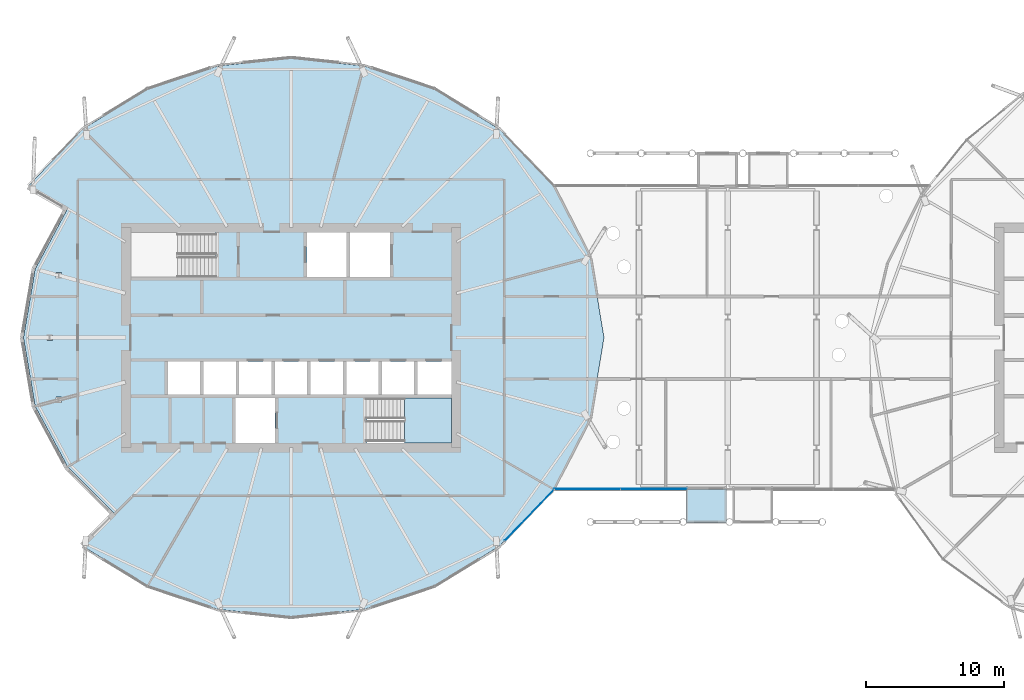
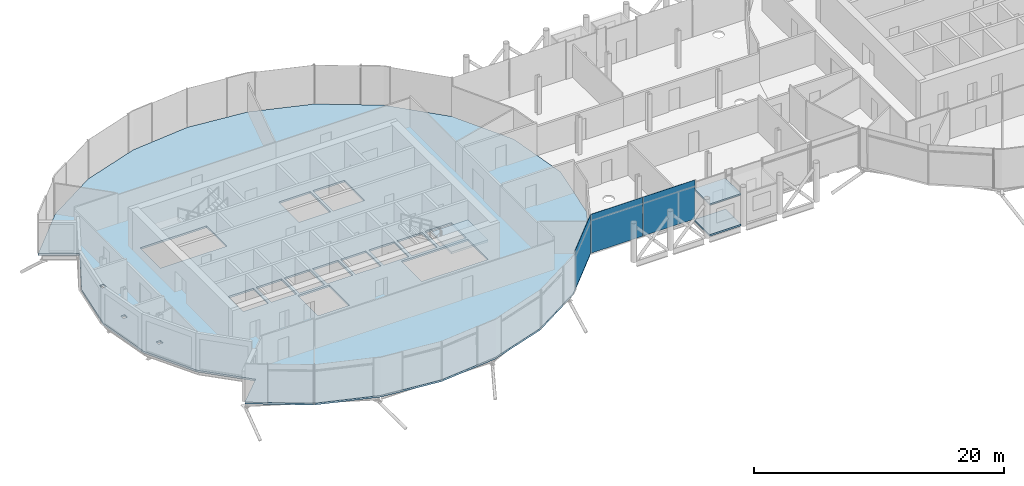
# One storey, part 20 of 39: 4 slabs, 3 plates, 3 elements without a shape of their own.
"""IFC4 building model written with IfcOpenShell, lengths in metres."""

from ifc_helpers import new_model, si_unit, direction, frame, origin, origin_2d, place, context, subcontext, project, spatial, polyline, rectangle, outline, extrude, material, layer, layer_set, type_object, element, aggregate, save


model = new_model("IFC4")

# Units and contexts
model_context = context("Model", 3, precision=1e-05, world=origin(), true_north=direction((0.0, 1.0)))
body_context = subcontext(model_context, "Body", "Model", "MODEL_VIEW")
ifc_project = project(units=[si_unit("LENGTHUNIT", "METRE"), si_unit("AREAUNIT", "SQUARE_METRE"), si_unit("VOLUMEUNIT", "CUBIC_METRE"), si_unit("PLANEANGLEUNIT", "RADIAN"), si_unit("MASSUNIT", "GRAM", prefix="KILO")], contexts=[model_context])

# Site, building, storey
site_placement = place(None, origin())
site = spatial("IfcSite", under=ifc_project, at=site_placement, CompositionType="ELEMENT")
building_placement = place(site_placement, origin())
building = spatial("IfcBuilding", under=site, at=building_placement, Name="Rimbun Link Towers", CompositionType="ELEMENT")
storey_placement = place(building_placement, frame((0.0, 0.0, 143.0)))
storey = spatial("IfcBuildingStorey", under=building, at=storey_placement, Name="L34", CompositionType="ELEMENT", Elevation=143.0)

# Slabs
ifc_material_1 = material(Name="Insulated metal floor panel on steel frame", Category="steel")
ifc_layer_1 = layer(ifc_material_1, 0.159912109375)
ifc_layer_set_1 = layer_set([ifc_layer_1], Name="CAPSULE floor panel 160")
slab_type_1 = type_object("IfcSlabType", Name="CAPSULE floor panel 160", PredefinedType="FLOOR", material=ifc_layer_set_1)
slab_1_placement = place(storey_placement, frame((0.0, 0.0, -0.219970703125)))
element("IfcSlab", 1, at=slab_1_placement, inside=storey, type_object=slab_type_1, Name="CAPSULE F34.11 floor panel", PredefinedType="FLOOR", context=body_context, shape_type="SweptSolid", body=[
    extrude(outline(polyline([(-0.105712890625, -11.0), (-3.005615234375, -11.0), (-3.005615234375, -13.449951171875), (-0.105712890625, -13.449951171875), (-0.105712890625, -11.0)])), origin(), (0.0, 0.0, 1.0), 0.159912109375),
])
ifc_material_2 = material(Name="Insulated metal roof panel with terracotta fascia", Category="masonry")
ifc_layer_2 = layer(ifc_material_2, 0.14990234375)
ifc_layer_set_2 = layer_set([ifc_layer_2], Name="CAPSULE roof panel 150")
slab_type_2 = type_object("IfcSlabType", Name="CAPSULE roof panel 150", PredefinedType="ROOF", material=ifc_layer_set_2)
slab_2_placement = place(storey_placement, frame((0.0, 0.0, 2.7900390625)))
element("IfcSlab", 2, at=slab_2_placement, inside=storey, type_object=slab_type_2, Name="CAPSULE F34.11 roof panel", PredefinedType="ROOF", context=body_context, shape_type="SweptSolid", body=[
    extrude(outline(polyline([(-3.005615234375, -13.449951171875), (-0.105712890625, -13.449951171875), (-0.105712890625, -10.949951171875), (-3.005615234375, -10.949951171875), (-3.005615234375, -13.449951171875)])), origin(), (0.0, 0.0, 1.0), 0.14990234375),
])
ifc_material_3 = material(Name="Concrete C35/45", Category="concrete")
ifc_layer_3 = layer(ifc_material_3, 0.179931640625)
ifc_layer_set_3 = layer_set([ifc_layer_3], Name="COMPOSITE FLOOR 180")
slab_type_3 = type_object("IfcSlabType", Name="COMPOSITE FLOOR 180", PredefinedType="FLOOR", material=ifc_layer_set_3)
slab_3_placement = place(storey_placement, frame((0.0, 0.0, -0.179931640625)))
element("IfcSlab", 3, at=slab_3_placement, inside=storey, type_object=slab_type_3, Name="Floor slab T1 L34", PredefinedType="FLOOR", context=body_context, shape_type="SweptSolid", body=[
    extrude(outline(polyline([(-46.904296875, 15.154296875), (-42.175537109375, 18.0576171875), (-37.044189453125, 19.758056640625), (-31.75, 20.315673828125), (-26.455810546875, 19.758056640625), (-21.324462890625, 18.0576171875), (-16.595703125, 15.154296875), (-12.643310546875, 11.03125), (-9.956787109375, 5.839599609375), (-8.99658203125, 0.0), (-9.956787109375, -5.839599609375), (-12.643310546875, -11.03125), (-16.595703125, -15.154296875), (-21.324462890625, -18.0576171875), (-26.455810546875, -19.758056640625), (-31.75, -20.315673828125), (-37.044189453125, -19.758056640625), (-42.175537109375, -18.0576171875), (-46.904296875, -15.154296875), (-44.57080078125, -12.82080078125), (-47.9990234375, -9.38134765625), (-50.355712890625, -4.9853515625), (-51.20361328125, 0.0), (-50.355712890625, 4.9853515625), (-47.9990234375, 9.38134765625), (-50.856689453125, 11.03125), (-46.904296875, 15.154296875)]), holes=[polyline([(-32.89990234375, -7.64990234375), (-32.89990234375, -4.39990234375), (-35.800048828125, -4.39990234375), (-35.800048828125, -7.64990234375), (-32.89990234375, -7.64990234375)]), polyline([(-48.439453125, -4.72216796875), (-48.439453125, -4.32861328125), (-48.83837890625, -4.32861328125), (-48.83837890625, -4.72216796875), (-48.439453125, -4.72216796875)]), polyline([(-38.361083984375, -4.14990234375), (-38.361083984375, -1.75), (-40.70556640625, -1.75), (-40.70556640625, -4.14990234375), (-38.361083984375, -4.14990234375)]), polyline([(-35.7666015625, -4.14990234375), (-35.7666015625, -1.75), (-38.111083984375, -1.75), (-38.111083984375, -4.14990234375), (-35.7666015625, -4.14990234375)]), polyline([(-33.172119140625, -4.14990234375), (-33.172119140625, -1.75), (-35.5166015625, -1.75), (-35.5166015625, -4.14990234375), (-33.172119140625, -4.14990234375)]), polyline([(-49.0986328125, -0.19677734375), (-49.0986328125, 0.19677734375), (-49.497802734375, 0.19677734375), (-49.497802734375, -0.19677734375), (-49.0986328125, -0.19677734375)]), polyline([(-48.439453125, 4.32861328125), (-48.439453125, 4.72216796875), (-48.83837890625, 4.72216796875), (-48.83837890625, 4.32861328125), (-48.439453125, 4.32861328125)]), polyline([(-37.260009765625, 4.39990234375), (-37.260009765625, 7.64990234375), (-43.39990234375, 7.64990234375), (-43.39990234375, 4.39990234375), (-37.260009765625, 4.39990234375)]), polyline([(-20.10009765625, -7.64990234375), (-20.10009765625, -4.39990234375), (-26.239990234375, -4.39990234375), (-26.239990234375, -7.64990234375), (-20.10009765625, -7.64990234375)]), polyline([(-30.577880859375, -4.14990234375), (-30.577880859375, -1.75), (-32.922119140625, -1.75), (-32.922119140625, -4.14990234375), (-30.577880859375, -4.14990234375)]), polyline([(-27.9833984375, -4.14990234375), (-27.9833984375, -1.75), (-30.327880859375, -1.75), (-30.327880859375, -4.14990234375), (-27.9833984375, -4.14990234375)]), polyline([(-25.388916015625, -4.14990234375), (-25.388916015625, -1.75), (-27.7333984375, -1.75), (-27.7333984375, -4.14990234375), (-25.388916015625, -4.14990234375)]), polyline([(-22.79443359375, -4.14990234375), (-22.79443359375, -1.75), (-25.138916015625, -1.75), (-25.138916015625, -4.14990234375), (-22.79443359375, -4.14990234375)]), polyline([(-20.10009765625, -4.14990234375), (-20.10009765625, -1.75), (-22.54443359375, -1.75), (-22.54443359375, -4.14990234375), (-20.10009765625, -4.14990234375)]), polyline([(-27.699951171875, 4.39990234375), (-27.699951171875, 7.64990234375), (-30.60009765625, 7.64990234375), (-30.60009765625, 4.39990234375), (-27.699951171875, 4.39990234375)]), polyline([(-24.550048828125, 4.39990234375), (-24.550048828125, 7.64990234375), (-27.449951171875, 7.64990234375), (-27.449951171875, 4.39990234375), (-24.550048828125, 4.39990234375)])]), origin(), (0.0, 0.0, 1.0), 0.179931640625),
])

# Curtain wall, plate
ifc_material_4 = material(Name="Aluminium 6063-T6 and low-iron glass", Category="aluminium")
curtain_wall_type = type_object("IfcCurtainWallType", Name="CW4 link block wall", PredefinedType="NOTDEFINED", material=ifc_material_4)
curtain_wall_1_placement = place(storey_placement, origin())
curtain_wall_1 = element("IfcCurtainWall", 4, at=curtain_wall_1_placement, inside=storey, type_object=curtain_wall_type, Name="CW4 L34 T1", PredefinedType="NOTDEFINED")
ifc_material_5 = material(Name="Low-iron glass, laminated low-e unit", Category="glass")
ifc_layer_4 = layer(ifc_material_5, 0.028076171875)
ifc_layer_set_4 = layer_set([ifc_layer_4], Name="CW4 panel Low-iron glass 28")
plate_type = type_object("IfcPlateType", Name="CW4 panel Low-iron glass 28", PredefinedType="CURTAIN_PANEL", material=ifc_layer_set_4)
plate_1_placement = place(storey_placement, frame((-14.419189453125, -12.90380859375, 0.0), z_axis=(0.0, 0.0, 1.0), x_axis=(-0.692041109252, -0.721858090698, 0.0)))
plate_1 = element("IfcPlate", 5, at=plate_1_placement, type_object=plate_type, Name="CW4 panel", PredefinedType="CURTAIN_PANEL", context=body_context, shape_type="SweptSolid", body=[
    extrude(rectangle(XDim=5.12158203125, YDim=0.028076171875, at=origin_2d()), origin(), (0.0, 0.0, 1.0), 3.800048828125),
])
aggregate(curtain_wall_1, [plate_1])

# Curtain wall, plates
curtain_wall_2_placement = place(storey_placement, origin())
curtain_wall_2 = element("IfcCurtainWall", 6, at=curtain_wall_2_placement, inside=storey, type_object=curtain_wall_type, Name="CW4 L34 LB", PredefinedType="NOTDEFINED")
plate_2_placement = place(storey_placement, frame((-5.37353515625, -11.013916015625, 0.0), z_axis=(0.0, 0.0, 1.0), x_axis=(-1.0, 0.0, 0.0)))
plate_2 = element("IfcPlate", 7, at=plate_2_placement, type_object=plate_type, Name="CW4 panel", PredefinedType="CURTAIN_PANEL", context=body_context, shape_type="SweptSolid", body=[
    extrude(rectangle(XDim=4.795654296875, YDim=0.028076171875, at=origin_2d()), origin(), (0.0, 0.0, 1.0), 3.800048828125),
])
plate_3_placement = place(storey_placement, frame((-10.209228515625, -11.013916015625, 0.0), z_axis=(0.0, 0.0, 1.0), x_axis=(-1.0, 0.0, 0.0)))
plate_3 = element("IfcPlate", 8, at=plate_3_placement, type_object=plate_type, Name="CW4 panel", PredefinedType="CURTAIN_PANEL", context=body_context, shape_type="SweptSolid", body=[
    extrude(rectangle(XDim=4.795654296875, YDim=0.028076171875, at=origin_2d()), origin(), (0.0, 0.0, 1.0), 3.800048828125),
])
aggregate(curtain_wall_2, [plate_2, plate_3])

# Stair, slab
ifc_material_6 = material(Name="Concrete C40/50", Category="concrete")
stair_type = type_object("IfcStairType", Name="Exit stair 3800 rise", PredefinedType="HALF_TURN_STAIR", material=ifc_material_6)
stair_placement = place(storey_placement, origin())
stair = element("IfcStair", 9, at=stair_placement, inside=storey, type_object=stair_type, Name="L34 EXIT STAIR B", PredefinedType="HALF_TURN_STAIR")
ifc_material_7 = material(Name="Concrete C40/50", Category="concrete")
ifc_layer_5 = layer(ifc_material_7, 0.199951171875)
ifc_layer_set_5 = layer_set([ifc_layer_5], Name="Stair landing")
slab_type_4 = type_object("IfcSlabType", Name="Stair landing", PredefinedType="LANDING", material=ifc_layer_set_5)
slab_4_placement = place(storey_placement, frame((0.0, 0.0, 1.699951171875)))
slab_4 = element("IfcSlab", 10, at=slab_4_placement, type_object=slab_type_4, Name="ST2 landing 1", PredefinedType="LANDING", context=body_context, shape_type="SweptSolid", body=[
    extrude(outline(polyline([(-23.5, -7.64990234375), (-20.10009765625, -7.64990234375), (-20.10009765625, -4.39990234375), (-23.5, -4.39990234375), (-23.5, -7.64990234375)])), origin(), (0.0, 0.0, 1.0), 0.199951171875),
])
aggregate(stair, [slab_4])

save(model, "model.ifc")
